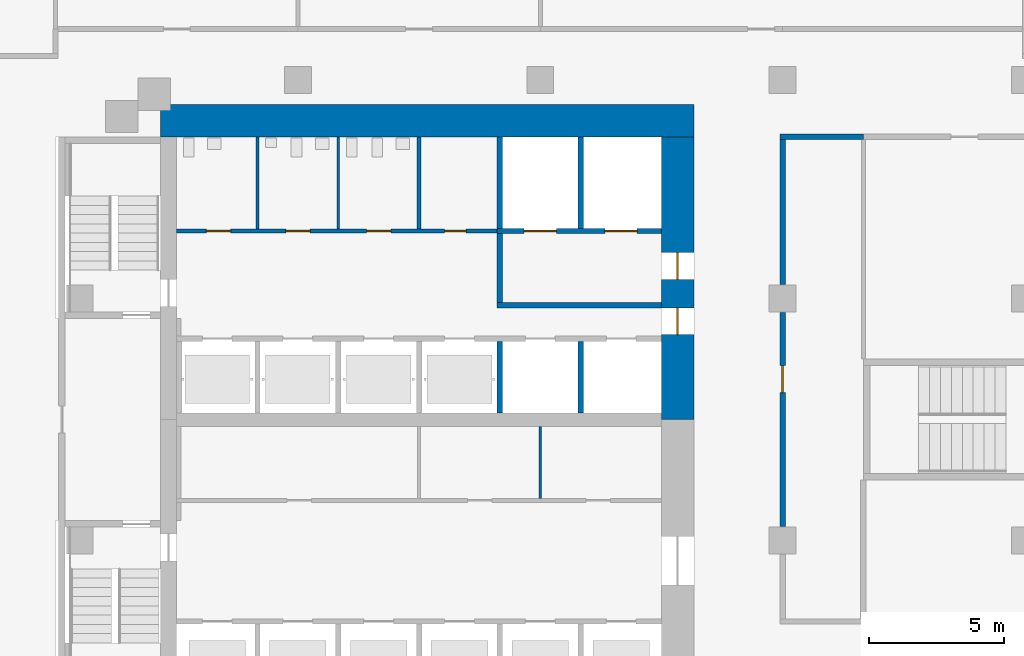
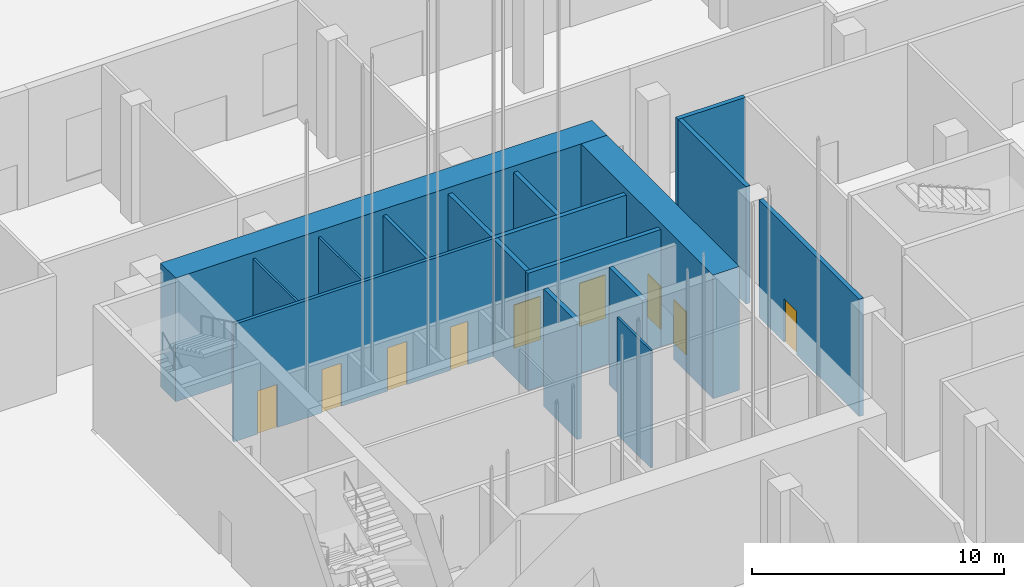
# One storey, part 39 of 55: 17 walls, 9 doors, 9 openings.
"""IFC4 building model written with IfcOpenShell, lengths in metres."""

from ifc_helpers import new_model, si_unit, direction, frame, frame_2d, origin, place, context, subcontext, project, spatial, rectangle, extrude, material, layer, layer_set, type_object, element, fill, save


model = new_model("IFC4")

# Units and contexts
model_context = context("Model", 3, precision=1e-05, world=origin(), true_north=direction((0.0, 1.0)))
body_context = subcontext(model_context, "Body", "Model", "MODEL_VIEW")
ifc_project = project(units=[si_unit("LENGTHUNIT", "METRE"), si_unit("AREAUNIT", "SQUARE_METRE"), si_unit("VOLUMEUNIT", "CUBIC_METRE"), si_unit("PLANEANGLEUNIT", "RADIAN"), si_unit("MASSUNIT", "GRAM", prefix="KILO")], contexts=[model_context])

# Site, building, storey
site_placement = place(None, origin())
site = spatial("IfcSite", under=ifc_project, at=site_placement, CompositionType="ELEMENT")
building_placement = place(site_placement, origin())
building = spatial("IfcBuilding", under=site, at=building_placement, Name="Cinnabar Reach Civic Tower", CompositionType="ELEMENT")
storey_placement = place(building_placement, origin())
storey = spatial("IfcBuildingStorey", under=building, at=storey_placement, Name="L00", CompositionType="ELEMENT", Elevation=0.0)

# Wall
ifc_material_1 = material(Name="Concrete C70", Category="concrete")
ifc_layer_1 = layer(ifc_material_1, 1.2)
ifc_layer_set_1 = layer_set([ifc_layer_1], Name="Core wall 1200 EI 180")
wall_type_1 = type_object("IfcWallType", Name="Core wall 1200 EI 180", PredefinedType="SOLIDWALL", material=ifc_layer_set_1)
wall_1_placement = place(storey_placement, frame((23.7, 42.6, 0.0), z_axis=(0.0, 0.0, 1.0), x_axis=(-1.0, 0.0, 0.0)))
element("IfcWall", 1, at=wall_1_placement, inside=storey, type_object=wall_type_1, Name="Core wall T1 L00 N", PredefinedType="SOLIDWALL", context=body_context, shape_type="SweptSolid", body=[
    extrude(rectangle(XDim=19.8, YDim=1.2, at=frame_2d((9.9, 0.0))), origin(), (0.0, 0.0, 1.0), 6.0),
])

# Wall, openings, doors
wall_2_placement = place(storey_placement, frame((23.1, 31.5, 0.0), z_axis=(0.0, 0.0, 1.0), x_axis=(0.0, 1.0, 0.0)))
wall_2 = element("IfcWall", 2, at=wall_2_placement, inside=storey, type_object=wall_type_1, Name="Core wall T1 L00 E2", PredefinedType="SOLIDWALL", context=body_context, shape_type="SweptSolid", body=[
    extrude(rectangle(XDim=10.5, YDim=1.2, at=frame_2d((5.25, 0.0))), origin(), (0.0, 0.0, 1.0), 6.0),
])
opening_1_placement = place(wall_2_placement, frame((3.15, 0.0, 0.0)))
opening_1 = element("IfcOpeningElement", 3, at=opening_1_placement, cuts=wall_2, Name="Opening D3077", PredefinedType="OPENING", context=body_context, shape_type="SweptSolid", body=[
    extrude(rectangle(XDim=1.0, YDim=2.1, at=frame_2d((0.5, 1.05))), frame((0.0, 0.61, 0.0), z_axis=(0.0, -1.0, 0.0), x_axis=(1.0, 0.0, 0.0)), (0.0, 0.0, 1.0), 1.22),
])
opening_2_placement = place(wall_2_placement, frame((5.2, 0.0, 0.0)))
opening_2 = element("IfcOpeningElement", 4, at=opening_2_placement, cuts=wall_2, Name="Opening D3078", PredefinedType="OPENING", context=body_context, shape_type="SweptSolid", body=[
    extrude(rectangle(XDim=1.0, YDim=2.1, at=frame_2d((0.5, 1.05))), frame((0.0, 0.61, 0.0), z_axis=(0.0, -1.0, 0.0), x_axis=(1.0, 0.0, 0.0)), (0.0, 0.0, 1.0), 1.22),
])
ifc_material_2 = material(Name="Timber door leaf in steel frame", Category="steel")
door_type_1 = type_object("IfcDoorType", Name="Firefighting lobby door 1000 x 2100 T1", OperationType="SINGLE_SWING_LEFT", PredefinedType="DOOR", material=ifc_material_2)
door_1_placement = place(opening_2_placement, frame((1.0, 0.0, 0.0), z_axis=(0.0, 0.0, 1.0), x_axis=(-1.0, 0.0, 0.0)))
door_1 = element("IfcDoor", 5, at=door_1_placement, inside=storey, type_object=door_type_1, Name="Door D3078", OperationType="SINGLE_SWING_RIGHT", OverallHeight=2.1, OverallWidth=1.0, PredefinedType="DOOR", context=body_context, shape_type="SweptSolid", body=[
    extrude(rectangle(XDim=1.0, YDim=2.1, at=frame_2d((0.5, 1.05))), frame((0.0, 0.025, 0.0), z_axis=(0.0, -1.0, 0.0), x_axis=(1.0, 0.0, 0.0)), (0.0, 0.0, 1.0), 0.05),
])
fill(opening_2, door_1)
door_type_2 = type_object("IfcDoorType", Name="Single swing door 1000 x 2100 T1", OperationType="SINGLE_SWING_LEFT", PredefinedType="DOOR", material=ifc_material_2)
door_2_placement = place(opening_1_placement, frame((1.0, 0.0, 0.0), z_axis=(0.0, 0.0, 1.0), x_axis=(-1.0, 0.0, 0.0)))
door_2 = element("IfcDoor", 6, at=door_2_placement, inside=storey, type_object=door_type_2, Name="Door D3077", OperationType="SINGLE_SWING_LEFT", OverallHeight=2.1, OverallWidth=1.0, PredefinedType="DOOR", context=body_context, shape_type="SweptSolid", body=[
    extrude(rectangle(XDim=1.0, YDim=2.1, at=frame_2d((0.5, 1.05))), frame((0.0, 0.025, 0.0), z_axis=(0.0, -1.0, 0.0), x_axis=(1.0, 0.0, 0.0)), (0.0, 0.0, 1.0), 0.05),
])
fill(opening_1, door_2)

ifc_material_3 = material(Name="Gypsum board on steel studs, double layer", Category="steel")
ifc_layer_2 = layer(ifc_material_3, 0.15)
ifc_layer_set_2 = layer_set([ifc_layer_2], Name="Corridor wall 150 T1")
wall_type_2 = type_object("IfcWallType", Name="Corridor wall 150 T1", PredefinedType="PARTITIONING", material=ifc_layer_set_2)
wall_3_placement = place(storey_placement, frame((4.5, 38.5, 0.0), z_axis=(0.0, 0.0, 1.0), x_axis=(1.0, 0.0, 0.0)))
wall_3 = element("IfcWall", 7, at=wall_3_placement, inside=storey, type_object=wall_type_2, Name="Corridor wall 20", PredefinedType="PARTITIONING", context=body_context, shape_type="SweptSolid", body=[
    extrude(rectangle(XDim=11.9, YDim=0.15, at=frame_2d((5.95, 0.0))), origin(), (0.0, 0.0, 1.0), 5.7),
])
opening_3_placement = place(wall_3_placement, frame((1.1, 0.0, 0.0)))
opening_3 = element("IfcOpeningElement", 8, at=opening_3_placement, cuts=wall_3, Name="Opening D3082", PredefinedType="OPENING", context=body_context, shape_type="SweptSolid", body=[
    extrude(rectangle(XDim=0.9, YDim=2.1, at=frame_2d((0.45, 1.05))), frame((0.0, 0.085, 0.0), z_axis=(0.0, -1.0, 0.0), x_axis=(1.0, 0.0, 0.0)), (0.0, 0.0, 1.0), 0.17),
])
opening_4_placement = place(wall_3_placement, frame((4.05, 0.0, 0.0)))
opening_4 = element("IfcOpeningElement", 9, at=opening_4_placement, cuts=wall_3, Name="Opening D3083", PredefinedType="OPENING", context=body_context, shape_type="SweptSolid", body=[
    extrude(rectangle(XDim=0.9, YDim=2.1, at=frame_2d((0.45, 1.05))), frame((0.0, 0.085, 0.0), z_axis=(0.0, -1.0, 0.0), x_axis=(1.0, 0.0, 0.0)), (0.0, 0.0, 1.0), 0.17),
])
opening_5_placement = place(wall_3_placement, frame((7.05, 0.0, 0.0)))
opening_5 = element("IfcOpeningElement", 10, at=opening_5_placement, cuts=wall_3, Name="Opening D3084", PredefinedType="OPENING", context=body_context, shape_type="SweptSolid", body=[
    extrude(rectangle(XDim=0.9, YDim=2.1, at=frame_2d((0.45, 1.05))), frame((0.0, 0.085, 0.0), z_axis=(0.0, -1.0, 0.0), x_axis=(1.0, 0.0, 0.0)), (0.0, 0.0, 1.0), 0.17),
])
opening_6_placement = place(wall_3_placement, frame((9.95, 0.0, 0.0)))
opening_6 = element("IfcOpeningElement", 11, at=opening_6_placement, cuts=wall_3, Name="Opening D3085", PredefinedType="OPENING", context=body_context, shape_type="SweptSolid", body=[
    extrude(rectangle(XDim=0.8, YDim=2.1, at=frame_2d((0.4, 1.05))), frame((0.0, 0.085, 0.0), z_axis=(0.0, -1.0, 0.0), x_axis=(1.0, 0.0, 0.0)), (0.0, 0.0, 1.0), 0.17),
])
door_type_3 = type_object("IfcDoorType", Name="Riser access door 800 x 2100 T1", OperationType="SINGLE_SWING_LEFT", PredefinedType="DOOR", material=ifc_material_2)
door_3_placement = place(opening_6_placement, origin())
door_3 = element("IfcDoor", 12, at=door_3_placement, inside=storey, type_object=door_type_3, Name="Door D3085", OperationType="SINGLE_SWING_LEFT", OverallHeight=2.1, OverallWidth=0.8, PredefinedType="DOOR", context=body_context, shape_type="SweptSolid", body=[
    extrude(rectangle(XDim=0.8, YDim=2.1, at=frame_2d((0.4, 1.05))), frame((0.0, 0.025, 0.0), z_axis=(0.0, -1.0, 0.0), x_axis=(1.0, 0.0, 0.0)), (0.0, 0.0, 1.0), 0.05),
])
fill(opening_6, door_3)
door_type_4 = type_object("IfcDoorType", Name="Single swing door 900 x 2100 corridor T1", OperationType="SINGLE_SWING_LEFT", PredefinedType="DOOR", material=ifc_material_2)
door_4_placement = place(opening_3_placement, origin())
door_4 = element("IfcDoor", 13, at=door_4_placement, inside=storey, type_object=door_type_4, Name="Door D3082", OperationType="SINGLE_SWING_LEFT", OverallHeight=2.1, OverallWidth=0.9, PredefinedType="DOOR", context=body_context, shape_type="SweptSolid", body=[
    extrude(rectangle(XDim=0.9, YDim=2.1, at=frame_2d((0.45, 1.05))), frame((0.0, 0.025, 0.0), z_axis=(0.0, -1.0, 0.0), x_axis=(1.0, 0.0, 0.0)), (0.0, 0.0, 1.0), 0.05),
])
fill(opening_3, door_4)
door_5_placement = place(opening_4_placement, origin())
door_5 = element("IfcDoor", 14, at=door_5_placement, inside=storey, type_object=door_type_4, Name="Door D3083", OperationType="SINGLE_SWING_LEFT", OverallHeight=2.1, OverallWidth=0.9, PredefinedType="DOOR", context=body_context, shape_type="SweptSolid", body=[
    extrude(rectangle(XDim=0.9, YDim=2.1, at=frame_2d((0.45, 1.05))), frame((0.0, 0.025, 0.0), z_axis=(0.0, -1.0, 0.0), x_axis=(1.0, 0.0, 0.0)), (0.0, 0.0, 1.0), 0.05),
])
fill(opening_4, door_5)
door_6_placement = place(opening_5_placement, origin())
door_6 = element("IfcDoor", 15, at=door_6_placement, inside=storey, type_object=door_type_4, Name="Door D3084", OperationType="SINGLE_SWING_RIGHT", OverallHeight=2.1, OverallWidth=0.9, PredefinedType="DOOR", context=body_context, shape_type="SweptSolid", body=[
    extrude(rectangle(XDim=0.9, YDim=2.1, at=frame_2d((0.45, 1.05))), frame((0.0, 0.025, 0.0), z_axis=(0.0, -1.0, 0.0), x_axis=(1.0, 0.0, 0.0)), (0.0, 0.0, 1.0), 0.05),
])
fill(opening_5, door_6)

# Walls
ifc_material_4 = material(Name="Blockwork", Category="masonry")
ifc_layer_3 = layer(ifc_material_4, 0.2)
ifc_layer_set_3 = layer_set([ifc_layer_3], Name="Lift shaft wall 200 T1")
wall_type_3 = type_object("IfcWallType", Name="Lift shaft wall 200 T1", PredefinedType="PARTITIONING", material=ifc_layer_set_3)
for number, where, z_axis, x_axis, name in (
    (16, (16.5, 38.6, 0.0), (0.0, 0.0, 1.0), (0.0, 1.0, 0.0), "Lift shaft wall 6"),
    (17, (19.5, 38.6, 0.0), (0.0, 0.0, 1.0), (0.0, 1.0, 0.0), "Lift shaft wall 7"),
):
    element("IfcWall", number, at=place(storey_placement, frame(where, z_axis=z_axis, x_axis=x_axis)), inside=storey, type_object=wall_type_3, Name=name, PredefinedType="PARTITIONING", context=body_context, shape_type="SweptSolid", body=[
        extrude(rectangle(XDim=3.4, YDim=0.2, at=frame_2d((1.7, 0.0))), origin(), (0.0, 0.0, 1.0), 5.7),
    ])
for number, where, z_axis, x_axis, name in (
    (18, (16.5, 31.75, 0.0), (0.0, 0.0, 1.0), (0.0, 1.0, 0.0), "Lift shaft wall 16"),
    (19, (19.5, 31.75, 0.0), (0.0, 0.0, 1.0), (0.0, 1.0, 0.0), "Lift shaft wall 18"),
):
    element("IfcWall", number, at=place(storey_placement, frame(where, z_axis=z_axis, x_axis=x_axis)), inside=storey, type_object=wall_type_3, Name=name, PredefinedType="PARTITIONING", context=body_context, shape_type="SweptSolid", body=[
        extrude(rectangle(XDim=2.65, YDim=0.2, at=frame_2d((1.325, 0.0))), origin(), (0.0, 0.0, 1.0), 5.7),
    ])
ifc_material_5 = material(Name="Gypsum board on steel studs", Category="steel")
ifc_layer_4 = layer(ifc_material_5, 0.1)
ifc_layer_set_4 = layer_set([ifc_layer_4], Name="Partition wall 100 T1")
wall_type_4 = type_object("IfcWallType", Name="Partition wall 100 T1", PredefinedType="PARTITIONING", material=ifc_layer_set_4)
for number, where, z_axis, x_axis, name in (
    (20, (7.5, 38.575, 0.0), (0.0, 0.0, 1.0), (0.0, 1.0, 0.0), "Partition wall 25"),
    (21, (10.5, 38.575, 0.0), (0.0, 0.0, 1.0), (0.0, 1.0, 0.0), "Partition wall 26"),
):
    element("IfcWall", number, at=place(storey_placement, frame(where, z_axis=z_axis, x_axis=x_axis)), inside=storey, type_object=wall_type_4, Name=name, PredefinedType="PARTITIONING", context=body_context, shape_type="SweptSolid", body=[
        extrude(rectangle(XDim=3.425, YDim=0.1, at=frame_2d((1.7125, 0.0))), origin(), (0.0, 0.0, 1.0), 5.7),
    ])
wall_4_placement = place(storey_placement, frame((18.0, 28.575, 0.0), z_axis=(0.0, 0.0, 1.0), x_axis=(0.0, 1.0, 0.0)))
element("IfcWall", 22, at=wall_4_placement, inside=storey, type_object=wall_type_4, Name="Partition wall 28", PredefinedType="PARTITIONING", context=body_context, shape_type="SweptSolid", body=[
    extrude(rectangle(XDim=2.675, YDim=0.1, at=frame_2d((1.3375, 0.0))), origin(), (0.0, 0.0, 1.0), 5.7),
])
ifc_material_6 = material(Name="Concrete blockwork", Category="masonry")
ifc_layer_5 = layer(ifc_material_6, 0.2)
ifc_layer_set_5 = layer_set([ifc_layer_5], Name="Podium masonry corridor wall 200 EI 120")
wall_type_5 = type_object("IfcWallType", Name="Podium masonry corridor wall 200 EI 120", PredefinedType="PARTITIONING", material=ifc_layer_set_5)
wall_5_placement = place(storey_placement, frame((26.9, 42.0, 0.0), z_axis=(0.0, 0.0, 1.0), x_axis=(1.0, 0.0, 0.0)))
element("IfcWall", 23, at=wall_5_placement, inside=storey, type_object=wall_type_5, Name="Wall L00 125", PredefinedType="PARTITIONING", context=body_context, shape_type="SweptSolid", body=[
    extrude(rectangle(XDim=3.1, YDim=0.2, at=frame_2d((1.55, 0.0))), origin(), (0.0, 0.0, 1.0), 5.7),
])

# Wall, opening, door
wall_6_placement = place(storey_placement, frame((27.0, 27.52, 0.0), z_axis=(0.0, 0.0, 1.0), x_axis=(0.0, 1.0, 0.0)))
wall_6 = element("IfcWall", 24, at=wall_6_placement, inside=storey, type_object=wall_type_5, Name="Wall L00 140", PredefinedType="PARTITIONING", context=body_context, shape_type="SweptSolid", body=[
    extrude(rectangle(XDim=7.96, YDim=0.2, at=frame_2d((3.98, 0.0))), origin(), (0.0, 0.0, 1.0), 5.7),
])
opening_7_placement = place(wall_6_placement, frame((4.98, 0.0, 0.0)))
opening_7 = element("IfcOpeningElement", 25, at=opening_7_placement, cuts=wall_6, Name="Opening D1031", PredefinedType="OPENING", context=body_context, shape_type="SweptSolid", body=[
    extrude(rectangle(XDim=1.0, YDim=2.1, at=frame_2d((0.5, 1.05))), frame((0.0, 0.11, 0.0), z_axis=(0.0, -1.0, 0.0), x_axis=(1.0, 0.0, 0.0)), (0.0, 0.0, 1.0), 0.22),
])
ifc_material_7 = material(Name="Painted steel door leaf", Category="steel")
door_type_5 = type_object("IfcDoorType", Name="Podium single door 1000x2100", OperationType="SINGLE_SWING_LEFT", PredefinedType="DOOR", material=ifc_material_7)
door_7_placement = place(opening_7_placement, frame((1.0, 0.0, 0.0), z_axis=(0.0, 0.0, 1.0), x_axis=(-1.0, 0.0, 0.0)))
door_7 = element("IfcDoor", 26, at=door_7_placement, inside=storey, type_object=door_type_5, Name="Door D1031", OperationType="SINGLE_SWING_RIGHT", OverallHeight=2.1, OverallWidth=1.0, PredefinedType="DOOR", context=body_context, shape_type="SweptSolid", body=[
    extrude(rectangle(XDim=1.0, YDim=2.1, at=frame_2d((0.5, 1.05))), frame((0.0, 0.025, 0.0), z_axis=(0.0, -1.0, 0.0), x_axis=(1.0, 0.0, 0.0)), (0.0, 0.0, 1.0), 0.05),
])
fill(opening_7, door_7)

# Walls
wall_7_placement = place(storey_placement, frame((27.0, 36.52, 0.0), z_axis=(0.0, 0.0, 1.0), x_axis=(0.0, 1.0, 0.0)))
element("IfcWall", 27, at=wall_7_placement, inside=storey, type_object=wall_type_5, Name="Wall L00 141", PredefinedType="PARTITIONING", context=body_context, shape_type="SweptSolid", body=[
    extrude(rectangle(XDim=5.38, YDim=0.2, at=frame_2d((2.69, 0.0))), origin(), (0.0, 0.0, 1.0), 5.7),
])
ifc_material_8 = material(Name="Concrete C40", Category="concrete")
ifc_layer_6 = layer(ifc_material_8, 0.2)
ifc_layer_set_6 = layer_set([ifc_layer_6], Name="Refuge compartment wall 200 T1")
wall_type_6 = type_object("IfcWallType", Name="Refuge compartment wall 200 T1", PredefinedType="PARTITIONING", material=ifc_layer_set_6)
wall_8_placement = place(storey_placement, frame((16.4, 35.75, 0.0), z_axis=(0.0, 0.0, 1.0), x_axis=(1.0, 0.0, 0.0)))
element("IfcWall", 28, at=wall_8_placement, inside=storey, type_object=wall_type_6, Name="Refuge compartment wall 1", PredefinedType="PARTITIONING", context=body_context, shape_type="SweptSolid", body=[
    extrude(rectangle(XDim=6.1, YDim=0.2, at=frame_2d((3.05, 0.0))), origin(), (0.0, 0.0, 1.0), 5.7),
])

# Wall, openings, doors
wall_9_placement = place(storey_placement, frame((16.4, 38.5, 0.0), z_axis=(0.0, 0.0, 1.0), x_axis=(1.0, 0.0, 0.0)))
wall_9 = element("IfcWall", 29, at=wall_9_placement, inside=storey, type_object=wall_type_6, Name="Refuge compartment wall 2", PredefinedType="PARTITIONING", context=body_context, shape_type="SweptSolid", body=[
    extrude(rectangle(XDim=6.1, YDim=0.2, at=frame_2d((3.05, 0.0))), origin(), (0.0, 0.0, 1.0), 5.7),
])
opening_8_placement = place(wall_9_placement, frame((1.0, 0.0, 0.0)))
opening_8 = element("IfcOpeningElement", 30, at=opening_8_placement, cuts=wall_9, Name="Opening D3074", PredefinedType="OPENING", context=body_context, shape_type="SweptSolid", body=[
    extrude(rectangle(XDim=1.2, YDim=2.1, at=frame_2d((0.6, 1.05))), frame((0.0, 0.11, 0.0), z_axis=(0.0, -1.0, 0.0), x_axis=(1.0, 0.0, 0.0)), (0.0, 0.0, 1.0), 0.22),
])
opening_9_placement = place(wall_9_placement, frame((4.0, 0.0, 0.0)))
opening_9 = element("IfcOpeningElement", 31, at=opening_9_placement, cuts=wall_9, Name="Opening D3075", PredefinedType="OPENING", context=body_context, shape_type="SweptSolid", body=[
    extrude(rectangle(XDim=1.2, YDim=2.1, at=frame_2d((0.6, 1.05))), frame((0.0, 0.11, 0.0), z_axis=(0.0, -1.0, 0.0), x_axis=(1.0, 0.0, 0.0)), (0.0, 0.0, 1.0), 0.22),
])
ifc_material_9 = material(Name="Stainless steel sliding door", Category="steel")
door_type_6 = type_object("IfcDoorType", Name="Firefighting lift landing door 1200 x 2100 T1", OperationType="SLIDING_TO_LEFT", PredefinedType="DOOR", material=ifc_material_9)
door_8_placement = place(opening_8_placement, origin())
door_8 = element("IfcDoor", 32, at=door_8_placement, inside=storey, type_object=door_type_6, Name="Lift landing door FF1 L00", OperationType="SLIDING_TO_LEFT", OverallHeight=2.1, OverallWidth=1.2, PredefinedType="DOOR", context=body_context, shape_type="SweptSolid", body=[
    extrude(rectangle(XDim=1.2, YDim=2.1, at=frame_2d((0.6, 1.05))), frame((0.0, 0.025, 0.0), z_axis=(0.0, -1.0, 0.0), x_axis=(1.0, 0.0, 0.0)), (0.0, 0.0, 1.0), 0.05),
])
fill(opening_8, door_8)
door_9_placement = place(opening_9_placement, origin())
door_9 = element("IfcDoor", 33, at=door_9_placement, inside=storey, type_object=door_type_6, Name="Lift landing door FF2 L00", OperationType="SLIDING_TO_LEFT", OverallHeight=2.1, OverallWidth=1.2, PredefinedType="DOOR", context=body_context, shape_type="SweptSolid", body=[
    extrude(rectangle(XDim=1.2, YDim=2.1, at=frame_2d((0.6, 1.05))), frame((0.0, 0.025, 0.0), z_axis=(0.0, -1.0, 0.0), x_axis=(1.0, 0.0, 0.0)), (0.0, 0.0, 1.0), 0.05),
])
fill(opening_9, door_9)

# Walls
wall_10_placement = place(storey_placement, frame((16.5, 35.85, 0.0), z_axis=(0.0, 0.0, 1.0), x_axis=(0.0, 1.0, 0.0)))
element("IfcWall", 34, at=wall_10_placement, inside=storey, type_object=wall_type_6, Name="Refuge compartment wall 3", PredefinedType="PARTITIONING", context=body_context, shape_type="SweptSolid", body=[
    extrude(rectangle(XDim=2.55, YDim=0.2, at=frame_2d((1.275, 0.0))), origin(), (0.0, 0.0, 1.0), 5.7),
])
ifc_layer_7 = layer(ifc_material_4, 0.15)
ifc_layer_set_7 = layer_set([ifc_layer_7], Name="Riser wall 150 T1")
wall_type_7 = type_object("IfcWallType", Name="Riser wall 150 T1", PredefinedType="PARTITIONING", material=ifc_layer_set_7)
wall_11_placement = place(storey_placement, frame((13.5, 38.575, 0.0), z_axis=(0.0, 0.0, 1.0), x_axis=(0.0, 1.0, 0.0)))
element("IfcWall", 35, at=wall_11_placement, inside=storey, type_object=wall_type_7, Name="Riser wall 24", PredefinedType="PARTITIONING", context=body_context, shape_type="SweptSolid", body=[
    extrude(rectangle(XDim=3.425, YDim=0.15, at=frame_2d((1.7125, 0.0))), origin(), (0.0, 0.0, 1.0), 5.7),
])

save(model, "model.ifc")
